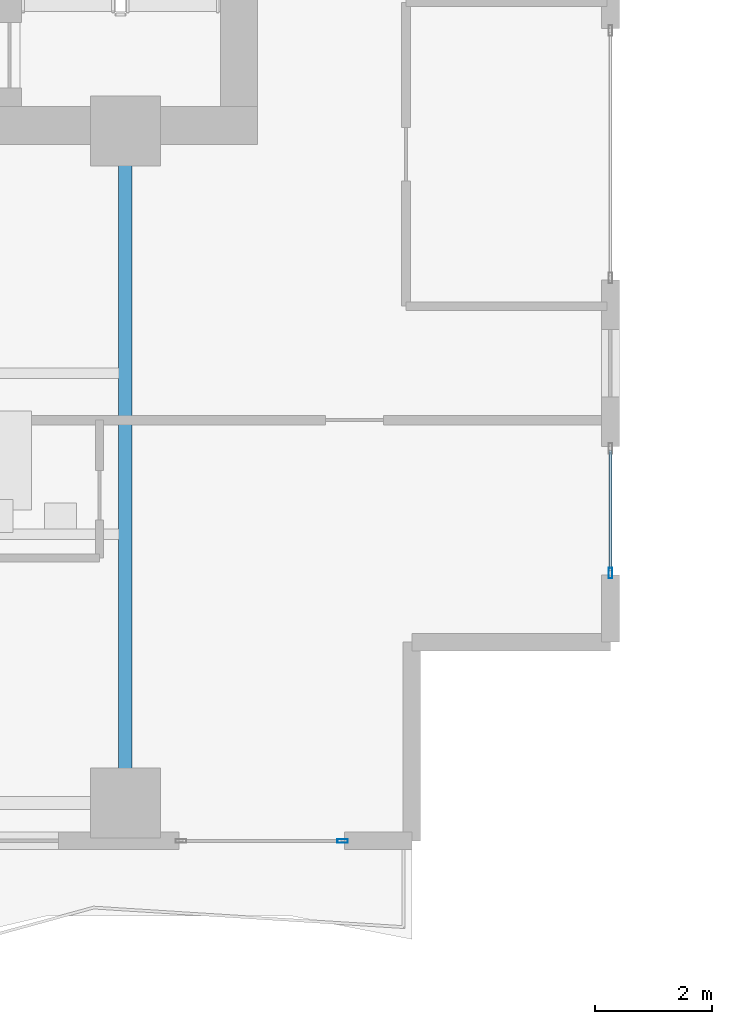
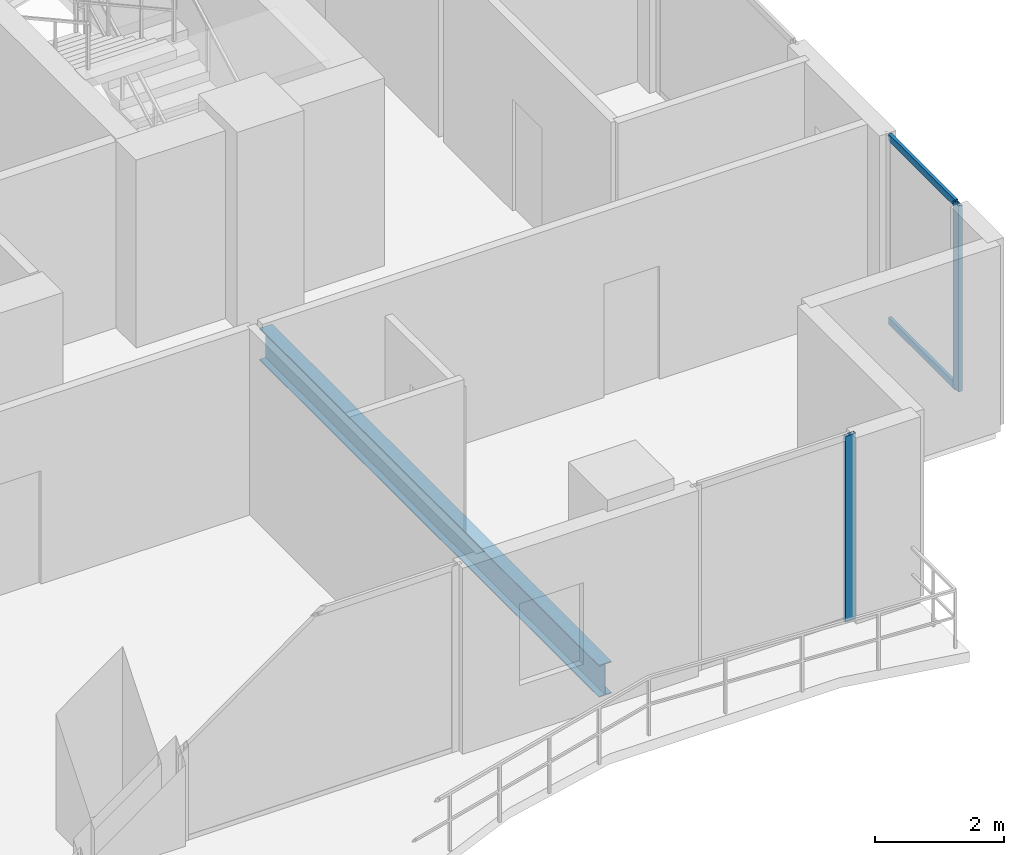
# One storey, part 11 of 32: 4 members, 1 beam, 2 elements without a shape of their own.
"""IFC4 building model written with IfcOpenShell, lengths in metres."""

import ifcopenshell
import ifcopenshell.guid

model = None  # the IFC model being written
_history = None  # IfcOwnerHistory: only IFC2X3 demands one
_inside = {}  # id of a spatial element -> (the spatial element, [elements in it])
_under = {}  # id of a project, library or spatial element -> (it, [spatial elements below it])
_declared = {}  # id of a project -> (the project, [libraries it declares])
_typed = {}  # id of a type object -> (the type object, [elements of that type])
_made_of = {}  # id of a material, layer set ... -> (it, [elements and type objects made of it])


def new_model(schema):
    """Start an empty IFC model of exactly this schema.

    Asked for "IFC4X3", IfcOpenShell would pick the latest addendum, in which some entities
    have other attributes; the version numbers below select the first issue.
    IFC2X3 requires an IfcOwnerHistory on every rooted entity: one is made here for all.
    """
    global model, _history
    if schema == "IFC4X3":
        model = ifcopenshell.file(schema_version=(4, 3, 0, 0))
    else:
        model = ifcopenshell.file(schema=schema)
    _inside.clear()
    _under.clear()
    _declared.clear()
    _typed.clear()
    _made_of.clear()
    _history = None
    if model.schema == "IFC2X3":
        org = make("IfcOrganization", Name="unknown")
        user = make(
            "IfcPersonAndOrganization",
            ThePerson=make("IfcPerson", FamilyName="unknown"),
            TheOrganization=org,
        )
        app = make(
            "IfcApplication",
            ApplicationDeveloper=org,
            Version="unknown",
            ApplicationFullName="unknown",
            ApplicationIdentifier="unknown",
        )
        _history = make(
            "IfcOwnerHistory",
            OwningUser=user,
            OwningApplication=app,
            ChangeAction="ADDED",
            CreationDate=0,
        )
    return model


def make(cls, **values):
    """One entity of the class cls with the attributes given. An attribute that is None is left unset."""
    return model.create_entity(
        cls, **{name: value for name, value in values.items() if value is not None}
    )


def rooted(cls, **values):
    """An entity with a GlobalId (a new one), such as an element, a storey or a relation."""
    return make(cls, GlobalId=ifcopenshell.guid.new(), OwnerHistory=_history, **values)


def si_unit(unit_type, name, prefix=None):
    """IfcSIUnit, for example si_unit("LENGTHUNIT", "METRE", prefix="MILLI")."""
    return make("IfcSIUnit", UnitType=unit_type, Prefix=prefix, Name=name)


def assignment(units):
    """IfcUnitAssignment: the units of a project."""
    return None if units is None else make("IfcUnitAssignment", Units=units)


def point(xyz):
    """IfcCartesianPoint."""
    return None if xyz is None else make("IfcCartesianPoint", Coordinates=xyz)


def direction(xyz):
    """IfcDirection."""
    return None if xyz is None else make("IfcDirection", DirectionRatios=xyz)


def frame(location, z_axis=None, x_axis=None):
    """IfcAxis2Placement3D, a coordinate frame: its origin and axes. An axis left out is left unset."""
    return make(
        "IfcAxis2Placement3D",
        Location=point(location),
        Axis=direction(z_axis),
        RefDirection=direction(x_axis),
    )


def frame_2d(location, x_axis=None):
    """IfcAxis2Placement2D, a coordinate frame in the plane: its origin and x axis."""
    return make(
        "IfcAxis2Placement2D", Location=point(location), RefDirection=direction(x_axis)
    )


def origin():
    """The frame at (0, 0, 0) with its axes left unset."""
    return frame((0.0, 0.0, 0.0))


def origin_2d():
    """The frame at (0, 0) in the plane with its x axis left unset."""
    return frame_2d((0.0, 0.0))


def place(relative_to, where):
    """IfcLocalPlacement: puts the frame where relative to a parent placement (None: the world)."""
    return make(
        "IfcLocalPlacement", PlacementRelTo=relative_to, RelativePlacement=where
    )


def context(
    kind, dimensions, precision=None, world=None, true_north=None, identifier=None
):
    """IfcGeometricRepresentationContext, for example the 3D "Model" context."""
    return make(
        "IfcGeometricRepresentationContext",
        ContextIdentifier=identifier,
        ContextType=kind,
        CoordinateSpaceDimension=dimensions,
        Precision=precision,
        WorldCoordinateSystem=world,
        TrueNorth=true_north,
    )


def subcontext(parent, identifier, kind, view, scale=None):
    """IfcGeometricRepresentationSubContext, for example "Body" below "Model"."""
    return make(
        "IfcGeometricRepresentationSubContext",
        ContextIdentifier=identifier,
        ContextType=kind,
        ParentContext=parent,
        TargetScale=scale,
        TargetView=view,
    )


def project(units=None, contexts=None):
    """IfcProject with its units and contexts."""
    return rooted(
        "IfcProject",
        Name="project",
        RepresentationContexts=contexts,
        UnitsInContext=assignment(units),
    )


def spatial(cls, under=None, at=None, **own):
    """A site, building, storey or space (cls), placed at a placement, below another one or the project."""
    s = rooted(cls, ObjectPlacement=at, **own)
    if under is not None:
        _under.setdefault(under.id(), (under, []))[1].append(s)
    return s


def profile(cls, at=None, kind="AREA", **sizes):
    """A parametric profile (cls). Its sizes go by their IFC names, for example OverallWidth=200.0."""
    return make(cls, ProfileType=kind, Position=at, **sizes)


def hollow_rectangle(**sizes):
    """IfcRectangleHollowProfileDef."""
    return profile("IfcRectangleHollowProfileDef", **sizes)


def i_section(**sizes):
    """IfcIShapeProfileDef."""
    return profile("IfcIShapeProfileDef", **sizes)


def extrude(swept, where, along, depth):
    """IfcExtrudedAreaSolid: the profile swept, set in the frame where, extruded along a direction by depth."""
    return make(
        "IfcExtrudedAreaSolid",
        SweptArea=swept,
        Position=where,
        ExtrudedDirection=direction(along),
        Depth=depth,
    )


def shape(context_of_items, identifier, shape_type, items):
    """IfcShapeRepresentation: the items that make up one representation, for example the "Body"."""
    return make(
        "IfcShapeRepresentation",
        ContextOfItems=context_of_items,
        RepresentationIdentifier=identifier,
        RepresentationType=shape_type,
        Items=items,
    )


def material(Name=None, Category=None):
    """IfcMaterial."""
    return make("IfcMaterial", Name=Name, Category=Category)


def layer(
    of_material, thickness, ventilated=None, Name=None, Category=None, Priority=None
):
    """IfcMaterialLayer: one layer of a wall or slab, of a material (None: an air gap)."""
    return make(
        "IfcMaterialLayer",
        Material=of_material,
        LayerThickness=thickness,
        IsVentilated=ventilated,
        Name=Name,
        Category=Category,
        Priority=Priority,
    )


def layer_set(layers, Name=None):
    """IfcMaterialLayerSet."""
    return make("IfcMaterialLayerSet", MaterialLayers=layers, LayerSetName=Name)


def material_profile(
    of_material, cross_section, Name=None, Category=None, Priority=None
):
    """IfcMaterialProfile: a cross section and its material."""
    return make(
        "IfcMaterialProfile",
        Name=Name,
        Material=of_material,
        Profile=cross_section,
        Priority=Priority,
        Category=Category,
    )


def profile_set(profiles, Name=None, composite=None):
    """IfcMaterialProfileSet."""
    return make(
        "IfcMaterialProfileSet",
        Name=Name,
        MaterialProfiles=profiles,
        CompositeProfile=composite,
    )


def made_of(thing, what):
    """Note that an element or type object is made of a material, layer set ...; save() writes the relation."""
    if what is not None:
        _made_of.setdefault(what.id(), (what, []))[1].append(thing)
    return thing


def type_object(cls, material=None, **own):
    """A type object (cls), such as IfcWallType, which elements share."""
    return made_of(rooted(cls, **own), material)


def element(
    cls,
    number,
    at=None,
    inside=None,
    cuts=None,
    type_object=None,
    material=None,
    context=None,
    identifier="Body",
    shape_type=None,
    held_by="IfcProductDefinitionShape",
    body=None,
    shapes=None,
    **own,
):
    """One element of the class cls, such as IfcWall. Its Tag is "e" and its number.

    at: its placement. inside: the storey or other place that contains it. cuts: it is an
    opening in that element (IfcRelVoidsElement). A single representation is given by context,
    identifier, shape_type and body (its items); several are given by shapes. held_by: the class
    of the entity that holds the representations. save() writes the other relations.
    """
    e = rooted(cls, Tag="e%d" % number, ObjectPlacement=at, **own)
    if body is not None:
        shapes = [shape(context, identifier, shape_type, body)]
    if shapes is not None:
        e.Representation = make(held_by, Representations=shapes)
    if inside is not None:
        _inside.setdefault(inside.id(), (inside, []))[1].append(e)
    if cuts is not None:
        rooted(
            "IfcRelVoidsElement", RelatingBuildingElement=cuts, RelatedOpeningElement=e
        )
    if type_object is not None:
        _typed.setdefault(type_object.id(), (type_object, []))[1].append(e)
    return made_of(e, material)


def aggregate(whole, parts):
    """IfcRelAggregates: a whole, such as a stair, and the parts it consists of."""
    return rooted("IfcRelAggregates", RelatingObject=whole, RelatedObjects=parts)


def save(model, path):
    """Write the relations noted so far, then the file.

    IfcRelAggregates (storeys below a building ...), IfcRelContainedInSpatialStructure (elements
    in a storey), IfcRelDefinesByType, IfcRelAssociatesMaterial and IfcRelDeclares: one each for
    every whole, place, type object, material and project.
    """
    for whole, parts in _under.values():
        aggregate(whole, parts)
    for where, things in _inside.values():
        rooted(
            "IfcRelContainedInSpatialStructure",
            RelatedElements=things,
            RelatingStructure=where,
        )
    for kind, things in _typed.values():
        rooted("IfcRelDefinesByType", RelatedObjects=things, RelatingType=kind)
    for what, things in _made_of.values():
        rooted("IfcRelAssociatesMaterial", RelatedObjects=things, RelatingMaterial=what)
    for by, libraries in _declared.values():
        rooted("IfcRelDeclares", RelatingContext=by, RelatedDefinitions=libraries)
    model.write(path)


model = new_model("IFC4")

# Units and contexts
model_context = context("Model", 3, precision=1e-05, world=origin(), true_north=direction((0.0, 1.0)))
body_context = subcontext(model_context, "Body", "Model", "MODEL_VIEW")
ifc_project = project(units=[si_unit("LENGTHUNIT", "METRE"), si_unit("AREAUNIT", "SQUARE_METRE"), si_unit("VOLUMEUNIT", "CUBIC_METRE"), si_unit("PLANEANGLEUNIT", "RADIAN"), si_unit("MASSUNIT", "GRAM", prefix="KILO")], contexts=[model_context])

# Site, building, storey
site_placement = place(None, origin())
site = spatial("IfcSite", under=ifc_project, at=site_placement, CompositionType="ELEMENT")
building_placement = place(site_placement, origin())
building = spatial("IfcBuilding", under=site, at=building_placement, Name="Zuhayl Quay Hotel", CompositionType="ELEMENT")
storey_placement = place(building_placement, frame((0.0, 0.0, 218.64990234375)))
storey = spatial("IfcBuildingStorey", under=building, at=storey_placement, Name="L55", CompositionType="ELEMENT", Elevation=218.64990234375)

# Beam
ifc_material_1 = material(Name="Steel ASTM A992 Grade 50", Category="steel")
ifc_material_profile_1 = material_profile(ifc_material_1, i_section(OverallWidth=0.22802734375, OverallDepth=0.60693359375, WebThickness=0.01123046875, FlangeThickness=0.017333984375, at=origin_2d()), Name="W24X76")
ifc_profile_set_1 = profile_set([ifc_material_profile_1], Name="Steel ASTM A992 Grade 50")
beam_type = type_object("IfcBeamType", Name="BM_B3_W24X76", PredefinedType="BEAM", material=ifc_profile_set_1)
beam_placement = place(storey_placement, frame((13.800048828125, -6.449951171875, -0.5234375), z_axis=(0.0, 1.0, 0.0), x_axis=(-1.0, 0.0, 0.0)))
element("IfcBeam", 1, at=beam_placement, inside=storey, type_object=beam_type, Name="L55 Floor Beam FG_S_L55_4", PredefinedType="BEAM", context=body_context, shape_type="SweptSolid", body=[
    extrude(i_section(OverallWidth=0.22802734375, OverallDepth=0.60693359375, WebThickness=0.01123046875, FlangeThickness=0.017333984375, at=origin_2d()), origin(), (0.0, 0.0, 1.0), 10.550048828125),
])

# Curtain wall, member
ifc_material_2 = material(Name="Anodised Aluminium 6063-T6", Category="aluminium")
ifc_layer = layer(ifc_material_2, 0.175048828125, Name="Anodised Aluminium 6063-T6", Category="aluminium")
ifc_layer_set = layer_set([ifc_layer], Name="Anodised Aluminium 6063-T6")
curtain_wall_type = type_object("IfcCurtainWallType", Name="CW_SYS_Z3", PredefinedType="USERDEFINED", material=ifc_layer_set)
curtain_wall_1_placement = place(storey_placement, origin())
curtain_wall_1 = element("IfcCurtainWall", 2, at=curtain_wall_1_placement, inside=storey, type_object=curtain_wall_type, Name="L55 Curtain Wall ENV_L55_E14_CW2", ObjectType="UNITISED CURTAIN WALL", PredefinedType="USERDEFINED")
ifc_material_3 = material(Name="Black-anodised aluminium 6063-T6", Category="aluminium")
ifc_material_profile_2 = material_profile(ifc_material_3, hollow_rectangle(XDim=0.06494140625, YDim=0.179931640625, WallThickness=0.00341796875, at=origin_2d()), Name="ALU180X65")
ifc_profile_set_2 = profile_set([ifc_material_profile_2], Name="Black-anodised aluminium 6063-T6")
member_type_1 = type_object("IfcMemberType", Name="MB_CW_MUL_180", PredefinedType="MULLION", material=ifc_profile_set_2)
member_1_placement = place(storey_placement, frame((22.10009765625, -3.017578125, 0.0), z_axis=(0.0, 0.0, 1.0), x_axis=(1.0, 0.0, 0.0)))
member_1 = element("IfcMember", 3, at=member_1_placement, type_object=member_type_1, Name="CW-Z3 mullion 2", PredefinedType="MULLION", context=body_context, shape_type="SweptSolid", body=[
    extrude(hollow_rectangle(XDim=0.06494140625, YDim=0.179931640625, WallThickness=0.00341796875, at=origin_2d()), origin(), (0.0, 0.0, 1.0), 3.530029296875),
])

curtain_wall_2_placement = place(storey_placement, origin())
curtain_wall_2 = element("IfcCurtainWall", 4, at=curtain_wall_2_placement, inside=storey, type_object=curtain_wall_type, Name="L55 Curtain Wall ENV_L55_S_CW1", ObjectType="UNITISED CURTAIN WALL", PredefinedType="USERDEFINED")
member_2_placement = place(storey_placement, frame((17.517578125, -7.60009765625, 0.0), z_axis=(0.0, 0.0, 1.0), x_axis=(0.0, -1.0, 0.0)))
member_2 = element("IfcMember", 5, at=member_2_placement, type_object=member_type_1, Name="CW-Z3 mullion 1", PredefinedType="MULLION", context=body_context, shape_type="SweptSolid", body=[
    extrude(hollow_rectangle(XDim=0.06494140625, YDim=0.179931640625, WallThickness=0.00341796875, at=origin_2d()), origin(), (0.0, 0.0, 1.0), 3.530029296875),
])
aggregate(curtain_wall_2, [member_2])

# Member
ifc_material_profile_3 = material_profile(ifc_material_3, hollow_rectangle(XDim=0.054931640625, YDim=0.1298828125, WallThickness=0.0029296875, at=origin_2d()), Name="ALU130X55")
ifc_profile_set_3 = profile_set([ifc_material_profile_3], Name="Black-anodised aluminium 6063-T6")
member_type_2 = type_object("IfcMemberType", Name="MB_CW_TRN_130", PredefinedType="USERDEFINED", material=ifc_profile_set_3)
member_3_placement = place(storey_placement, frame((22.10009765625, -0.9150390625, 0.027587890625), z_axis=(0.0, -1.0, 0.0), x_axis=(1.0, 0.0, 0.0)))
member_3 = element("IfcMember", 6, at=member_3_placement, type_object=member_type_2, Name="CW-Z3 transom 1.1", ObjectType="TRANSOM", PredefinedType="USERDEFINED", context=body_context, shape_type="SweptSolid", body=[
    extrude(hollow_rectangle(XDim=0.054931640625, YDim=0.1298828125, WallThickness=0.0029296875, at=origin_2d()), origin(), (0.0, 0.0, 1.0), 2.070068359375),
])

member_4_placement = place(storey_placement, frame((22.10009765625, -0.9150390625, 3.502685546875), z_axis=(0.0, -1.0, 0.0), x_axis=(1.0, 0.0, 0.0)))
member_4 = element("IfcMember", 7, at=member_4_placement, type_object=member_type_2, Name="CW-Z3 transom 1.2", ObjectType="TRANSOM", PredefinedType="USERDEFINED", context=body_context, shape_type="SweptSolid", body=[
    extrude(hollow_rectangle(XDim=0.054931640625, YDim=0.1298828125, WallThickness=0.0029296875, at=origin_2d()), origin(), (0.0, 0.0, 1.0), 2.070068359375),
])

aggregate(curtain_wall_1, [member_1, member_3, member_4])

save(model, "model.ifc")
